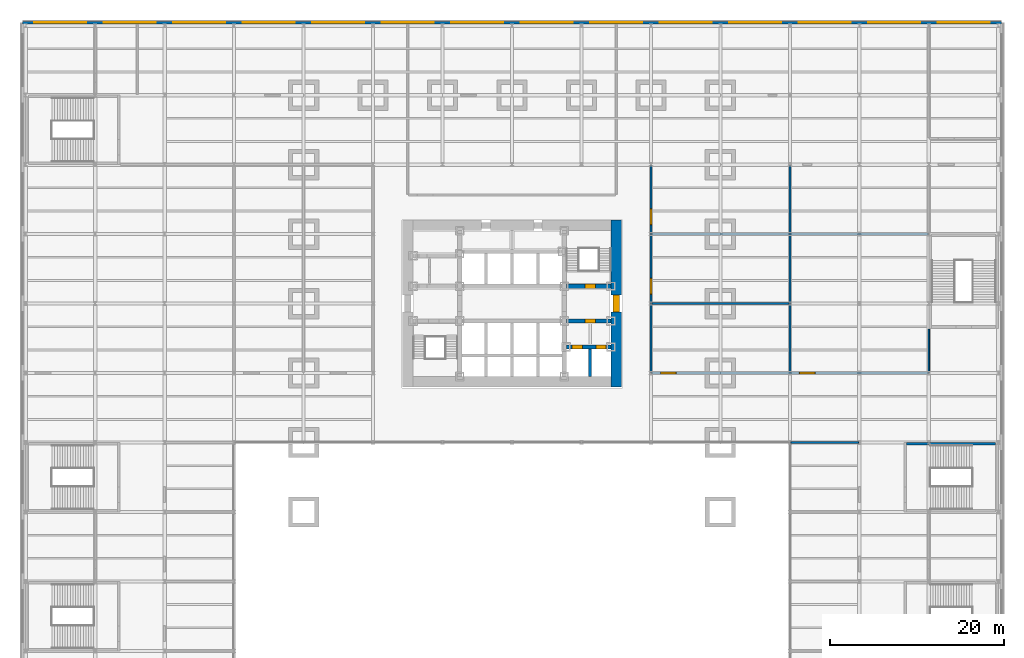
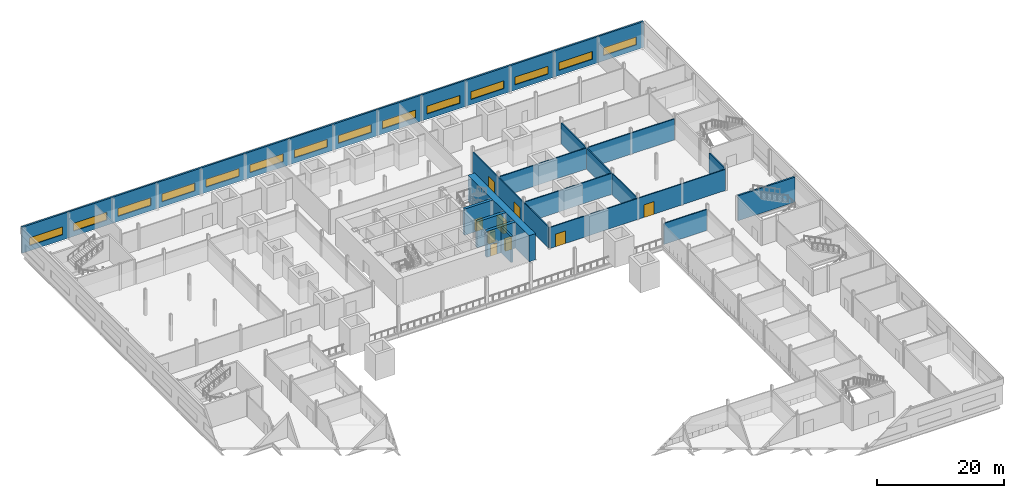
# One storey, part 15 of 22: 14 walls, 14 windows, 9 doors, 23 openings.
"""IFC4 building model written with IfcOpenShell, lengths in metres."""

from ifc_helpers import new_model, si_unit, direction, frame, frame_2d, origin, place, context, subcontext, project, spatial, rectangle, extrude, material, layer, layer_set, type_object, element, fill, save


model = new_model("IFC4")

# Units and contexts
model_context = context("Model", 3, precision=1e-05, world=origin(), true_north=direction((0.0, 1.0)))
body_context = subcontext(model_context, "Body", "Model", "MODEL_VIEW")
ifc_project = project(units=[si_unit("LENGTHUNIT", "METRE"), si_unit("AREAUNIT", "SQUARE_METRE"), si_unit("VOLUMEUNIT", "CUBIC_METRE"), si_unit("PLANEANGLEUNIT", "RADIAN"), si_unit("MASSUNIT", "GRAM", prefix="KILO")], contexts=[model_context])

# Site, building, storey
site_placement = place(None, origin())
site = spatial("IfcSite", under=ifc_project, at=site_placement, CompositionType="ELEMENT")
building_placement = place(site_placement, origin())
building = spatial("IfcBuilding", under=site, at=building_placement, Name="Daluyong Arena Tower", CompositionType="ELEMENT")
storey_placement = place(building_placement, frame((0.0, 0.0, 9.89990234375)))
storey = spatial("IfcBuildingStorey", under=building, at=storey_placement, Name="L02", CompositionType="ELEMENT", Elevation=9.89990234375)

# Wall, openings, doors
ifc_material_1 = material(Name="Concrete fc' 45 MPa", Category="concrete")
ifc_layer_1 = layer(ifc_material_1, 0.5)
ifc_layer_set_1 = layer_set([ifc_layer_1], Name="Concrete fc' 45 MPa")
wall_type_1 = type_object("IfcWallType", Name="Core inner wall 500", PredefinedType="SHEAR", material=ifc_layer_set_1)
wall_1_placement = place(storey_placement, frame((62.25, 75.0, 0.0), z_axis=(0.0, 0.0, 1.0), x_axis=(1.0, 0.0, 0.0)))
wall_1 = element("IfcWall", 1, at=wall_1_placement, inside=storey, type_object=wall_type_1, Name="core inner wall at L02", PredefinedType="SHEAR", context=body_context, shape_type="SweptSolid", body=[
    extrude(rectangle(XDim=5.14990234375, YDim=0.5, at=frame_2d((2.574951171875, 0.0))), origin(), (0.0, 0.0, 1.0), 5.0),
])
opening_1_placement = place(wall_1_placement, frame((0.64990234375, 0.0, 0.0)))
opening_1 = element("IfcOpeningElement", 2, at=opening_1_placement, cuts=wall_1, Name="Opening 02013", PredefinedType="OPENING", context=body_context, shape_type="SweptSolid", body=[
    extrude(rectangle(XDim=1.199951171875, YDim=2.199951171875, at=frame_2d((0.60009765625, 1.10009765625))), frame((0.0, 0.260009765625, 0.0), z_axis=(0.0, -1.0, 0.0), x_axis=(1.0, 0.0, 0.0)), (0.0, 0.0, 1.0), 0.52001953125),
])
opening_2_placement = place(wall_1_placement, frame((3.39990234375, 0.0, 0.0)))
opening_2 = element("IfcOpeningElement", 3, at=opening_2_placement, cuts=wall_1, Name="Opening 02014", PredefinedType="OPENING", context=body_context, shape_type="SweptSolid", body=[
    extrude(rectangle(XDim=1.199951171875, YDim=2.199951171875, at=frame_2d((0.60009765625, 1.10009765625))), frame((0.0, 0.260009765625, 0.0), z_axis=(0.0, -1.0, 0.0), x_axis=(1.0, 0.0, 0.0)), (0.0, 0.0, 1.0), 0.52001953125),
])
ifc_material_2 = material(Name="Steel door, fire rated", Category="steel")
door_type_1 = type_object("IfcDoorType", Name="Firefighting lift landing door 1200", OperationType="SLIDING_TO_LEFT", PredefinedType="DOOR", material=ifc_material_2)
door_1_placement = place(opening_1_placement, origin())
door_1 = element("IfcDoor", 4, at=door_1_placement, inside=storey, type_object=door_type_1, Name="firefighting lift landing door F1 02013", OperationType="SLIDING_TO_LEFT", OverallHeight=2.199951171875, OverallWidth=1.199951171875, PredefinedType="DOOR", context=body_context, shape_type="SweptSolid", body=[
    extrude(rectangle(XDim=1.199951171875, YDim=2.199951171875, at=frame_2d((0.60009765625, 1.10009765625))), frame((0.0, 0.249755859375, 0.0), z_axis=(0.0, -1.0, 0.0), x_axis=(1.0, 0.0, 0.0)), (0.0, 0.0, 1.0), 0.49951171875),
])
fill(opening_1, door_1)
door_2_placement = place(opening_2_placement, origin())
door_2 = element("IfcDoor", 5, at=door_2_placement, inside=storey, type_object=door_type_1, Name="firefighting lift landing door F2 02014", OperationType="SLIDING_TO_LEFT", OverallHeight=2.199951171875, OverallWidth=1.199951171875, PredefinedType="DOOR", context=body_context, shape_type="SweptSolid", body=[
    extrude(rectangle(XDim=1.199951171875, YDim=2.199951171875, at=frame_2d((0.60009765625, 1.10009765625))), frame((0.0, 0.249755859375, 0.0), z_axis=(0.0, -1.0, 0.0), x_axis=(1.0, 0.0, 0.0)), (0.0, 0.0, 1.0), 0.49951171875),
])
fill(opening_2, door_2)

# Wall, opening, door
wall_2_placement = place(storey_placement, frame((62.25, 78.0, 0.0), z_axis=(0.0, 0.0, 1.0), x_axis=(1.0, 0.0, 0.0)))
wall_2 = element("IfcWall", 6, at=wall_2_placement, inside=storey, type_object=wall_type_1, Name="core inner wall at L02", PredefinedType="SHEAR", context=body_context, shape_type="SweptSolid", body=[
    extrude(rectangle(XDim=5.14990234375, YDim=0.5, at=frame_2d((2.574951171875, 0.0))), origin(), (0.0, 0.0, 1.0), 5.0),
])
opening_3_placement = place(wall_2_placement, frame((2.14990234375, 0.0, 0.0)))
opening_3 = element("IfcOpeningElement", 7, at=opening_3_placement, cuts=wall_2, Name="Opening 02012", PredefinedType="OPENING", context=body_context, shape_type="SweptSolid", body=[
    extrude(rectangle(XDim=1.199951171875, YDim=2.10009765625, at=frame_2d((0.60009765625, 1.050048828125))), frame((0.0, 0.260009765625, 0.0), z_axis=(0.0, -1.0, 0.0), x_axis=(1.0, 0.0, 0.0)), (0.0, 0.0, 1.0), 0.52001953125),
])
ifc_material_3 = material(Name="Steel door, fire rated", Category="steel")
door_type_2 = type_object("IfcDoorType", Name="Firefighting lobby door 1200", OperationType="SINGLE_SWING_RIGHT", PredefinedType="DOOR", material=ifc_material_3)
door_3_placement = place(opening_3_placement, origin())
door_3 = element("IfcDoor", 8, at=door_3_placement, inside=storey, type_object=door_type_2, Name="firefighting lobby door 02012", OperationType="SINGLE_SWING_RIGHT", OverallHeight=2.10009765625, OverallWidth=1.199951171875, PredefinedType="DOOR", context=body_context, shape_type="SweptSolid", body=[
    extrude(rectangle(XDim=1.199951171875, YDim=2.10009765625, at=frame_2d((0.60009765625, 1.050048828125))), frame((0.0, 0.249755859375, 0.0), z_axis=(0.0, -1.0, 0.0), x_axis=(1.0, 0.0, 0.0)), (0.0, 0.0, 1.0), 0.49951171875),
])
fill(opening_3, door_3)

wall_3_placement = place(storey_placement, frame((62.25, 82.0, 0.0), z_axis=(0.0, 0.0, 1.0), x_axis=(1.0, 0.0, 0.0)))
wall_3 = element("IfcWall", 9, at=wall_3_placement, inside=storey, type_object=wall_type_1, Name="core inner wall at L02", PredefinedType="SHEAR", context=body_context, shape_type="SweptSolid", body=[
    extrude(rectangle(XDim=5.14990234375, YDim=0.5, at=frame_2d((2.574951171875, 0.0))), origin(), (0.0, 0.0, 1.0), 5.0),
])
opening_4_placement = place(wall_3_placement, frame((2.14990234375, 0.0, 0.0)))
opening_4 = element("IfcOpeningElement", 10, at=opening_4_placement, cuts=wall_3, Name="Opening 02007", PredefinedType="OPENING", context=body_context, shape_type="SweptSolid", body=[
    extrude(rectangle(XDim=1.199951171875, YDim=2.10009765625, at=frame_2d((0.60009765625, 1.050048828125))), frame((0.0, 0.260009765625, 0.0), z_axis=(0.0, -1.0, 0.0), x_axis=(1.0, 0.0, 0.0)), (0.0, 0.0, 1.0), 0.52001953125),
])
ifc_material_4 = material(Name="Steel door, fire rated", Category="steel")
door_type_3 = type_object("IfcDoorType", Name="Stair door 1200", OperationType="SINGLE_SWING_LEFT", PredefinedType="DOOR", material=ifc_material_4)
door_4_placement = place(opening_4_placement, origin())
door_4 = element("IfcDoor", 11, at=door_4_placement, inside=storey, type_object=door_type_3, Name="stair B door 02007", OperationType="SINGLE_SWING_LEFT", OverallHeight=2.10009765625, OverallWidth=1.199951171875, PredefinedType="DOOR", context=body_context, shape_type="SweptSolid", body=[
    extrude(rectangle(XDim=1.199951171875, YDim=2.10009765625, at=frame_2d((0.60009765625, 1.050048828125))), frame((0.0, 0.249755859375, 0.0), z_axis=(0.0, -1.0, 0.0), x_axis=(1.0, 0.0, 0.0)), (0.0, 0.0, 1.0), 0.49951171875),
])
fill(opening_4, door_4)

ifc_material_5 = material(Name="Concrete fc' 60 MPa", Category="concrete")
ifc_layer_2 = layer(ifc_material_5, 1.199951171875)
ifc_layer_set_2 = layer_set([ifc_layer_2], Name="Concrete fc' 60 MPa")
wall_type_2 = type_object("IfcWallType", Name="Core wall 1200", PredefinedType="SHEAR", material=ifc_layer_set_2)
wall_4_placement = place(storey_placement, frame((68.0, 70.39990234375, 0.0), z_axis=(0.0, 0.0, 1.0), x_axis=(0.0, 1.0, 0.0)))
wall_4 = element("IfcWall", 12, at=wall_4_placement, inside=storey, type_object=wall_type_2, Name="core wall at L02", PredefinedType="SHEAR", context=body_context, shape_type="SweptSolid", body=[
    extrude(rectangle(XDim=19.2001953125, YDim=1.199951171875, at=frame_2d((9.60009765625, 0.0))), origin(), (0.0, 0.0, 1.0), 5.0),
])
opening_5_placement = place(wall_4_placement, frame((8.60009765625, 0.0, 0.0)))
opening_5 = element("IfcOpeningElement", 13, at=opening_5_placement, cuts=wall_4, Name="Opening 02009", PredefinedType="OPENING", context=body_context, shape_type="SweptSolid", body=[
    extrude(rectangle(XDim=2.0, YDim=2.39990234375, at=frame_2d((1.0, 1.199951171875))), frame((0.0, 0.60986328125, 0.0), z_axis=(0.0, -1.0, 0.0), x_axis=(1.0, 0.0, 0.0)), (0.0, 0.0, 1.0), 1.219970703125),
])
ifc_material_6 = material(Name="Steel door, fire rated", Category="steel")
door_type_4 = type_object("IfcDoorType", Name="Core lobby double door 2000", OperationType="DOUBLE_DOOR_SINGLE_SWING", PredefinedType="DOOR", material=ifc_material_6)
door_5_placement = place(opening_5_placement, origin())
door_5 = element("IfcDoor", 14, at=door_5_placement, inside=storey, type_object=door_type_4, Name="core lobby door east 02009", OperationType="DOUBLE_DOOR_SINGLE_SWING", OverallHeight=2.39990234375, OverallWidth=2.0, PredefinedType="DOOR", context=body_context, shape_type="SweptSolid", body=[
    extrude(rectangle(XDim=2.0, YDim=2.39990234375, at=frame_2d((1.0, 1.199951171875))), frame((0.0, 0.35009765625, 0.0), z_axis=(0.0, -1.0, 0.0), x_axis=(1.0, 0.0, 0.0)), (0.0, 0.0, 1.0), 0.699951171875),
])
fill(opening_5, door_5)

# Walls
ifc_material_7 = material(Name="Concrete fc' 45 MPa", Category="concrete")
ifc_layer_3 = layer(ifc_material_7, 0.35009765625)
ifc_layer_set_3 = layer_set([ifc_layer_3], Name="Concrete fc' 45 MPa")
wall_type_3 = type_object("IfcWallType", Name="Lift shaft wall 350", PredefinedType="SHEAR", material=ifc_layer_set_3)
wall_5_placement = place(storey_placement, frame((65.0, 71.60009765625, 0.0), z_axis=(0.0, 0.0, 1.0), x_axis=(0.0, 1.0, 0.0)))
element("IfcWall", 15, at=wall_5_placement, inside=storey, type_object=wall_type_3, Name="lift shaft wall at L02", PredefinedType="SHEAR", context=body_context, shape_type="SweptSolid", body=[
    extrude(rectangle(XDim=3.14990234375, YDim=0.35009765625, at=frame_2d((1.574951171875, 0.0))), origin(), (0.0, 0.0, 1.0), 5.0),
])
ifc_material_8 = material(Name="Concrete block partition", Category="concrete")
ifc_layer_4 = layer(ifc_material_8, 0.199951171875)
ifc_layer_set_4 = layer_set([ifc_layer_4], Name="Concrete block partition")
wall_type_4 = type_object("IfcWallType", Name="Partition 200", PredefinedType="PARTITIONING", material=ifc_layer_set_4)
wall_6_placement = place(storey_placement, frame((88.10009765625, 64.0, 0.0), z_axis=(0.0, 0.0, 1.0), x_axis=(1.0, 0.0, 0.0)))
element("IfcWall", 16, at=wall_6_placement, inside=storey, type_object=wall_type_4, Name="partition at L02", PredefinedType="PARTITIONING", context=body_context, shape_type="SweptSolid", body=[
    extrude(rectangle(XDim=7.7998046875, YDim=0.199951171875, at=frame_2d((3.89990234375, 0.0))), origin(), (0.0, 0.0, 1.0), 4.02783203125),
])

# Wall, openings, doors
wall_7_placement = place(storey_placement, frame((72.10009765625, 72.0, 0.0), z_axis=(0.0, 0.0, 1.0), x_axis=(1.0, 0.0, 0.0)))
wall_7 = element("IfcWall", 17, at=wall_7_placement, inside=storey, type_object=wall_type_4, Name="partition at L02", PredefinedType="PARTITIONING", context=body_context, shape_type="SweptSolid", body=[
    extrude(rectangle(XDim=31.7998046875, YDim=0.199951171875, at=frame_2d((15.89990234375, 0.0))), origin(), (0.0, 0.0, 1.0), 4.02783203125),
])
opening_6_placement = place(wall_7_placement, frame((1.0, 0.0, 0.0)))
opening_6 = element("IfcOpeningElement", 18, at=opening_6_placement, cuts=wall_7, Name="Opening 02056", PredefinedType="OPENING", context=body_context, shape_type="SweptSolid", body=[
    extrude(rectangle(XDim=1.800048828125, YDim=2.39990234375, at=frame_2d((0.89990234375, 1.199951171875))), frame((0.0, 0.10986328125, 0.0), z_axis=(0.0, -1.0, 0.0), x_axis=(1.0, 0.0, 0.0)), (0.0, 0.0, 1.0), 0.219970703125),
])
opening_7_placement = place(wall_7_placement, frame((17.0, 0.0, 0.0)))
opening_7 = element("IfcOpeningElement", 19, at=opening_7_placement, cuts=wall_7, Name="Opening 02058", PredefinedType="OPENING", context=body_context, shape_type="SweptSolid", body=[
    extrude(rectangle(XDim=1.800048828125, YDim=2.39990234375, at=frame_2d((0.89990234375, 1.199951171875))), frame((0.0, 0.10986328125, 0.0), z_axis=(0.0, -1.0, 0.0), x_axis=(1.0, 0.0, 0.0)), (0.0, 0.0, 1.0), 0.219970703125),
])
ifc_material_9 = material(Name="Timber door", Category="wood")
door_type_5 = type_object("IfcDoorType", Name="Assembly double door 1800", OperationType="DOUBLE_DOOR_DOUBLE_SWING", PredefinedType="DOOR", material=ifc_material_9)
door_6_placement = place(opening_6_placement, origin())
door_6 = element("IfcDoor", 20, at=door_6_placement, inside=storey, type_object=door_type_5, Name="corporate suite door 02056", OperationType="DOUBLE_DOOR_DOUBLE_SWING", OverallHeight=2.39990234375, OverallWidth=1.800048828125, PredefinedType="DOOR", context=body_context, shape_type="SweptSolid", body=[
    extrude(rectangle(XDim=1.800048828125, YDim=2.39990234375, at=frame_2d((0.89990234375, 1.199951171875))), frame((0.0, 0.099609375, 0.0), z_axis=(0.0, -1.0, 0.0), x_axis=(1.0, 0.0, 0.0)), (0.0, 0.0, 1.0), 0.199462890625),
])
fill(opening_6, door_6)
door_7_placement = place(opening_7_placement, origin())
door_7 = element("IfcDoor", 21, at=door_7_placement, inside=storey, type_object=door_type_5, Name="club restaurant door 02058", OperationType="DOUBLE_DOOR_DOUBLE_SWING", OverallHeight=2.39990234375, OverallWidth=1.800048828125, PredefinedType="DOOR", context=body_context, shape_type="SweptSolid", body=[
    extrude(rectangle(XDim=1.800048828125, YDim=2.39990234375, at=frame_2d((0.89990234375, 1.199951171875))), frame((0.0, 0.099609375, 0.0), z_axis=(0.0, -1.0, 0.0), x_axis=(1.0, 0.0, 0.0)), (0.0, 0.0, 1.0), 0.199462890625),
])
fill(opening_7, door_7)

# Walls
wall_8_placement = place(storey_placement, frame((72.10009765625, 80.0, 0.0), z_axis=(0.0, 0.0, 1.0), x_axis=(1.0, 0.0, 0.0)))
element("IfcWall", 22, at=wall_8_placement, inside=storey, type_object=wall_type_4, Name="partition at L02", PredefinedType="PARTITIONING", context=body_context, shape_type="SweptSolid", body=[
    extrude(rectangle(XDim=15.7998046875, YDim=0.199951171875, at=frame_2d((7.89990234375, 0.0))), origin(), (0.0, 0.0, 1.0), 4.02783203125),
])
wall_9_placement = place(storey_placement, frame((72.10009765625, 88.0, 0.0), z_axis=(0.0, 0.0, 1.0), x_axis=(1.0, 0.0, 0.0)))
element("IfcWall", 23, at=wall_9_placement, inside=storey, type_object=wall_type_4, Name="partition at L02", PredefinedType="PARTITIONING", context=body_context, shape_type="SweptSolid", body=[
    extrude(rectangle(XDim=31.7998046875, YDim=0.199951171875, at=frame_2d((15.89990234375, 0.0))), origin(), (0.0, 0.0, 1.0), 4.02783203125),
])

# Wall, openings, doors
wall_10_placement = place(storey_placement, frame((72.0, 72.10009765625, 0.0), z_axis=(0.0, 0.0, 1.0), x_axis=(0.0, 1.0, 0.0)))
wall_10 = element("IfcWall", 24, at=wall_10_placement, inside=storey, type_object=wall_type_4, Name="partition at L02", PredefinedType="PARTITIONING", context=body_context, shape_type="SweptSolid", body=[
    extrude(rectangle(XDim=23.7998046875, YDim=0.199951171875, at=frame_2d((11.89990234375, 0.0))), origin(), (0.0, 0.0, 1.0), 4.02783203125),
])
opening_8_placement = place(wall_10_placement, frame((9.0, 0.0, 0.0)))
opening_8 = element("IfcOpeningElement", 25, at=opening_8_placement, cuts=wall_10, Name="Opening 02057", PredefinedType="OPENING", context=body_context, shape_type="SweptSolid", body=[
    extrude(rectangle(XDim=1.800048828125, YDim=2.39990234375, at=frame_2d((0.89990234375, 1.199951171875))), frame((0.0, 0.10986328125, 0.0), z_axis=(0.0, -1.0, 0.0), x_axis=(1.0, 0.0, 0.0)), (0.0, 0.0, 1.0), 0.219970703125),
])
opening_9_placement = place(wall_10_placement, frame((17.0, 0.0, 0.0)))
opening_9 = element("IfcOpeningElement", 26, at=opening_9_placement, cuts=wall_10, Name="Opening 02059", PredefinedType="OPENING", context=body_context, shape_type="SweptSolid", body=[
    extrude(rectangle(XDim=1.800048828125, YDim=2.39990234375, at=frame_2d((0.89990234375, 1.199951171875))), frame((0.0, 0.10986328125, 0.0), z_axis=(0.0, -1.0, 0.0), x_axis=(1.0, 0.0, 0.0)), (0.0, 0.0, 1.0), 0.219970703125),
])
door_8_placement = place(opening_8_placement, origin())
door_8 = element("IfcDoor", 27, at=door_8_placement, inside=storey, type_object=door_type_5, Name="corporate suite door 02057", OperationType="DOUBLE_DOOR_DOUBLE_SWING", OverallHeight=2.39990234375, OverallWidth=1.800048828125, PredefinedType="DOOR", context=body_context, shape_type="SweptSolid", body=[
    extrude(rectangle(XDim=1.800048828125, YDim=2.39990234375, at=frame_2d((0.89990234375, 1.199951171875))), frame((0.0, 0.099609375, 0.0), z_axis=(0.0, -1.0, 0.0), x_axis=(1.0, 0.0, 0.0)), (0.0, 0.0, 1.0), 0.199462890625),
])
fill(opening_8, door_8)
door_9_placement = place(opening_9_placement, origin())
door_9 = element("IfcDoor", 28, at=door_9_placement, inside=storey, type_object=door_type_5, Name="club bar door 02059", OperationType="DOUBLE_DOOR_DOUBLE_SWING", OverallHeight=2.39990234375, OverallWidth=1.800048828125, PredefinedType="DOOR", context=body_context, shape_type="SweptSolid", body=[
    extrude(rectangle(XDim=1.800048828125, YDim=2.39990234375, at=frame_2d((0.89990234375, 1.199951171875))), frame((0.0, 0.099609375, 0.0), z_axis=(0.0, -1.0, 0.0), x_axis=(1.0, 0.0, 0.0)), (0.0, 0.0, 1.0), 0.199462890625),
])
fill(opening_9, door_9)

# Walls
wall_11_placement = place(storey_placement, frame((88.0, 72.10009765625, 0.0), z_axis=(0.0, 0.0, 1.0), x_axis=(0.0, 1.0, 0.0)))
element("IfcWall", 29, at=wall_11_placement, inside=storey, type_object=wall_type_4, Name="partition at L02", PredefinedType="PARTITIONING", context=body_context, shape_type="SweptSolid", body=[
    extrude(rectangle(XDim=23.7998046875, YDim=0.199951171875, at=frame_2d((11.89990234375, 0.0))), origin(), (0.0, 0.0, 1.0), 4.02783203125),
])
wall_12_placement = place(storey_placement, frame((104.0, 72.10009765625, 0.0), z_axis=(0.0, 0.0, 1.0), x_axis=(0.0, 1.0, 0.0)))
element("IfcWall", 30, at=wall_12_placement, inside=storey, type_object=wall_type_4, Name="partition at L02", PredefinedType="PARTITIONING", context=body_context, shape_type="SweptSolid", body=[
    extrude(rectangle(XDim=4.949951171875, YDim=0.199951171875, at=frame_2d((2.47509765625, 0.0))), origin(), (0.0, 0.0, 1.0), 4.02783203125),
])

# Wall, openings, windows
ifc_material_10 = material(Name="Precast concrete fc' 45 MPa", Category="concrete")
ifc_layer_5 = layer(ifc_material_10, 0.300048828125)
ifc_layer_set_5 = layer_set([ifc_layer_5], Name="Precast concrete fc' 45 MPa")
wall_type_5 = type_object("IfcWallType", Name="Podium precast band wall 300", PredefinedType="SOLIDWALL", material=ifc_layer_set_5)
wall_13_placement = place(storey_placement, frame((112.35009765625, 112.35009765625, 0.0), z_axis=(0.0, 0.0, 1.0), x_axis=(-1.0, 0.0, 0.0)))
wall_13 = element("IfcWall", 31, at=wall_13_placement, inside=storey, type_object=wall_type_5, Name="podium wall N L02", PredefinedType="SOLIDWALL", context=body_context, shape_type="SweptSolid", body=[
    extrude(rectangle(XDim=112.7001953125, YDim=0.300048828125, at=frame_2d((56.35009765625, 0.0))), origin(), (0.0, 0.0, 1.0), 5.0),
])
opening_10_placement = place(wall_13_placement, frame((1.35009765625, 0.0, 1.0)))
opening_10 = element("IfcOpeningElement", 32, at=opening_10_placement, cuts=wall_13, Name="Opening W1", PredefinedType="OPENING", context=body_context, shape_type="SweptSolid", body=[
    extrude(rectangle(XDim=6.0, YDim=1.5, at=frame_2d((3.0, 0.75))), frame((0.0, 0.159912109375, 0.0), z_axis=(0.0, -1.0, 0.0), x_axis=(1.0, 0.0, 0.0)), (0.0, 0.0, 1.0), 0.320068359375),
])
opening_11_placement = place(wall_13_placement, frame((9.35009765625, 0.0, 1.0)))
opening_11 = element("IfcOpeningElement", 33, at=opening_11_placement, cuts=wall_13, Name="Opening W1", PredefinedType="OPENING", context=body_context, shape_type="SweptSolid", body=[
    extrude(rectangle(XDim=6.0, YDim=1.5, at=frame_2d((3.0, 0.75))), frame((0.0, 0.159912109375, 0.0), z_axis=(0.0, -1.0, 0.0), x_axis=(1.0, 0.0, 0.0)), (0.0, 0.0, 1.0), 0.320068359375),
])
opening_12_placement = place(wall_13_placement, frame((17.35009765625, 0.0, 1.0)))
opening_12 = element("IfcOpeningElement", 34, at=opening_12_placement, cuts=wall_13, Name="Opening W1", PredefinedType="OPENING", context=body_context, shape_type="SweptSolid", body=[
    extrude(rectangle(XDim=6.0, YDim=1.5, at=frame_2d((3.0, 0.75))), frame((0.0, 0.159912109375, 0.0), z_axis=(0.0, -1.0, 0.0), x_axis=(1.0, 0.0, 0.0)), (0.0, 0.0, 1.0), 0.320068359375),
])
opening_13_placement = place(wall_13_placement, frame((25.35009765625, 0.0, 1.0)))
opening_13 = element("IfcOpeningElement", 35, at=opening_13_placement, cuts=wall_13, Name="Opening W1", PredefinedType="OPENING", context=body_context, shape_type="SweptSolid", body=[
    extrude(rectangle(XDim=6.0, YDim=1.5, at=frame_2d((3.0, 0.75))), frame((0.0, 0.159912109375, 0.0), z_axis=(0.0, -1.0, 0.0), x_axis=(1.0, 0.0, 0.0)), (0.0, 0.0, 1.0), 0.320068359375),
])
opening_14_placement = place(wall_13_placement, frame((33.35009765625, 0.0, 1.0)))
opening_14 = element("IfcOpeningElement", 36, at=opening_14_placement, cuts=wall_13, Name="Opening W1", PredefinedType="OPENING", context=body_context, shape_type="SweptSolid", body=[
    extrude(rectangle(XDim=6.0, YDim=1.5, at=frame_2d((3.0, 0.75))), frame((0.0, 0.159912109375, 0.0), z_axis=(0.0, -1.0, 0.0), x_axis=(1.0, 0.0, 0.0)), (0.0, 0.0, 1.0), 0.320068359375),
])
opening_15_placement = place(wall_13_placement, frame((41.35009765625, 0.0, 1.0)))
opening_15 = element("IfcOpeningElement", 37, at=opening_15_placement, cuts=wall_13, Name="Opening W1", PredefinedType="OPENING", context=body_context, shape_type="SweptSolid", body=[
    extrude(rectangle(XDim=6.0, YDim=1.5, at=frame_2d((3.0, 0.75))), frame((0.0, 0.159912109375, 0.0), z_axis=(0.0, -1.0, 0.0), x_axis=(1.0, 0.0, 0.0)), (0.0, 0.0, 1.0), 0.320068359375),
])
opening_16_placement = place(wall_13_placement, frame((49.35009765625, 0.0, 1.0)))
opening_16 = element("IfcOpeningElement", 38, at=opening_16_placement, cuts=wall_13, Name="Opening W1", PredefinedType="OPENING", context=body_context, shape_type="SweptSolid", body=[
    extrude(rectangle(XDim=6.0, YDim=1.5, at=frame_2d((3.0, 0.75))), frame((0.0, 0.159912109375, 0.0), z_axis=(0.0, -1.0, 0.0), x_axis=(1.0, 0.0, 0.0)), (0.0, 0.0, 1.0), 0.320068359375),
])
opening_17_placement = place(wall_13_placement, frame((57.35009765625, 0.0, 1.0)))
opening_17 = element("IfcOpeningElement", 39, at=opening_17_placement, cuts=wall_13, Name="Opening W1", PredefinedType="OPENING", context=body_context, shape_type="SweptSolid", body=[
    extrude(rectangle(XDim=6.0, YDim=1.5, at=frame_2d((3.0, 0.75))), frame((0.0, 0.159912109375, 0.0), z_axis=(0.0, -1.0, 0.0), x_axis=(1.0, 0.0, 0.0)), (0.0, 0.0, 1.0), 0.320068359375),
])
opening_18_placement = place(wall_13_placement, frame((65.35009765625, 0.0, 1.0)))
opening_18 = element("IfcOpeningElement", 40, at=opening_18_placement, cuts=wall_13, Name="Opening W1", PredefinedType="OPENING", context=body_context, shape_type="SweptSolid", body=[
    extrude(rectangle(XDim=6.0, YDim=1.5, at=frame_2d((3.0, 0.75))), frame((0.0, 0.159912109375, 0.0), z_axis=(0.0, -1.0, 0.0), x_axis=(1.0, 0.0, 0.0)), (0.0, 0.0, 1.0), 0.320068359375),
])
opening_19_placement = place(wall_13_placement, frame((73.35009765625, 0.0, 1.0)))
opening_19 = element("IfcOpeningElement", 41, at=opening_19_placement, cuts=wall_13, Name="Opening W1", PredefinedType="OPENING", context=body_context, shape_type="SweptSolid", body=[
    extrude(rectangle(XDim=6.0, YDim=1.5, at=frame_2d((3.0, 0.75))), frame((0.0, 0.159912109375, 0.0), z_axis=(0.0, -1.0, 0.0), x_axis=(1.0, 0.0, 0.0)), (0.0, 0.0, 1.0), 0.320068359375),
])
opening_20_placement = place(wall_13_placement, frame((81.35009765625, 0.0, 1.0)))
opening_20 = element("IfcOpeningElement", 42, at=opening_20_placement, cuts=wall_13, Name="Opening W1", PredefinedType="OPENING", context=body_context, shape_type="SweptSolid", body=[
    extrude(rectangle(XDim=6.0, YDim=1.5, at=frame_2d((3.0, 0.75))), frame((0.0, 0.159912109375, 0.0), z_axis=(0.0, -1.0, 0.0), x_axis=(1.0, 0.0, 0.0)), (0.0, 0.0, 1.0), 0.320068359375),
])
opening_21_placement = place(wall_13_placement, frame((89.35009765625, 0.0, 1.0)))
opening_21 = element("IfcOpeningElement", 43, at=opening_21_placement, cuts=wall_13, Name="Opening W1", PredefinedType="OPENING", context=body_context, shape_type="SweptSolid", body=[
    extrude(rectangle(XDim=6.0, YDim=1.5, at=frame_2d((3.0, 0.75))), frame((0.0, 0.159912109375, 0.0), z_axis=(0.0, -1.0, 0.0), x_axis=(1.0, 0.0, 0.0)), (0.0, 0.0, 1.0), 0.320068359375),
])
opening_22_placement = place(wall_13_placement, frame((97.35009765625, 0.0, 1.0)))
opening_22 = element("IfcOpeningElement", 44, at=opening_22_placement, cuts=wall_13, Name="Opening W1", PredefinedType="OPENING", context=body_context, shape_type="SweptSolid", body=[
    extrude(rectangle(XDim=6.0, YDim=1.5, at=frame_2d((3.0, 0.75))), frame((0.0, 0.159912109375, 0.0), z_axis=(0.0, -1.0, 0.0), x_axis=(1.0, 0.0, 0.0)), (0.0, 0.0, 1.0), 0.320068359375),
])
opening_23_placement = place(wall_13_placement, frame((105.35009765625, 0.0, 1.0)))
opening_23 = element("IfcOpeningElement", 45, at=opening_23_placement, cuts=wall_13, Name="Opening W1", PredefinedType="OPENING", context=body_context, shape_type="SweptSolid", body=[
    extrude(rectangle(XDim=6.0, YDim=1.5, at=frame_2d((3.0, 0.75))), frame((0.0, 0.159912109375, 0.0), z_axis=(0.0, -1.0, 0.0), x_axis=(1.0, 0.0, 0.0)), (0.0, 0.0, 1.0), 0.320068359375),
])
ifc_material_11 = material(Name="Bronze aluminium window, tinted glass", Category="aluminium")
window_type = type_object("IfcWindowType", Name="Ribbon window 6000x1500", PartitioningType="TRIPLE_PANEL_HORIZONTAL", PredefinedType="WINDOW", material=ifc_material_11)
window_1_placement = place(opening_10_placement, origin())
window_1 = element("IfcWindow", 46, at=window_1_placement, inside=storey, type_object=window_type, Name="ribbon window N", OverallHeight=1.5, OverallWidth=6.0, PartitioningType="SINGLE_PANEL", PredefinedType="WINDOW", context=body_context, shape_type="SweptSolid", body=[
    extrude(rectangle(XDim=6.0, YDim=1.5, at=frame_2d((3.0, 0.75))), frame((0.0, 0.030029296875, 0.0), z_axis=(0.0, -1.0, 0.0), x_axis=(1.0, 0.0, 0.0)), (0.0, 0.0, 1.0), 0.06005859375),
])
fill(opening_10, window_1)
window_2_placement = place(opening_11_placement, origin())
window_2 = element("IfcWindow", 47, at=window_2_placement, inside=storey, type_object=window_type, Name="ribbon window N", OverallHeight=1.5, OverallWidth=6.0, PartitioningType="SINGLE_PANEL", PredefinedType="WINDOW", context=body_context, shape_type="SweptSolid", body=[
    extrude(rectangle(XDim=6.0, YDim=1.5, at=frame_2d((3.0, 0.75))), frame((0.0, 0.030029296875, 0.0), z_axis=(0.0, -1.0, 0.0), x_axis=(1.0, 0.0, 0.0)), (0.0, 0.0, 1.0), 0.06005859375),
])
fill(opening_11, window_2)
window_3_placement = place(opening_12_placement, origin())
window_3 = element("IfcWindow", 48, at=window_3_placement, inside=storey, type_object=window_type, Name="ribbon window N", OverallHeight=1.5, OverallWidth=6.0, PartitioningType="SINGLE_PANEL", PredefinedType="WINDOW", context=body_context, shape_type="SweptSolid", body=[
    extrude(rectangle(XDim=6.0, YDim=1.5, at=frame_2d((3.0, 0.75))), frame((0.0, 0.030029296875, 0.0), z_axis=(0.0, -1.0, 0.0), x_axis=(1.0, 0.0, 0.0)), (0.0, 0.0, 1.0), 0.06005859375),
])
fill(opening_12, window_3)
window_4_placement = place(opening_13_placement, origin())
window_4 = element("IfcWindow", 49, at=window_4_placement, inside=storey, type_object=window_type, Name="ribbon window N", OverallHeight=1.5, OverallWidth=6.0, PartitioningType="SINGLE_PANEL", PredefinedType="WINDOW", context=body_context, shape_type="SweptSolid", body=[
    extrude(rectangle(XDim=6.0, YDim=1.5, at=frame_2d((3.0, 0.75))), frame((0.0, 0.030029296875, 0.0), z_axis=(0.0, -1.0, 0.0), x_axis=(1.0, 0.0, 0.0)), (0.0, 0.0, 1.0), 0.06005859375),
])
fill(opening_13, window_4)
window_5_placement = place(opening_14_placement, origin())
window_5 = element("IfcWindow", 50, at=window_5_placement, inside=storey, type_object=window_type, Name="ribbon window N", OverallHeight=1.5, OverallWidth=6.0, PartitioningType="SINGLE_PANEL", PredefinedType="WINDOW", context=body_context, shape_type="SweptSolid", body=[
    extrude(rectangle(XDim=6.0, YDim=1.5, at=frame_2d((3.0, 0.75))), frame((0.0, 0.030029296875, 0.0), z_axis=(0.0, -1.0, 0.0), x_axis=(1.0, 0.0, 0.0)), (0.0, 0.0, 1.0), 0.06005859375),
])
fill(opening_14, window_5)
window_6_placement = place(opening_15_placement, origin())
window_6 = element("IfcWindow", 51, at=window_6_placement, inside=storey, type_object=window_type, Name="ribbon window N", OverallHeight=1.5, OverallWidth=6.0, PartitioningType="SINGLE_PANEL", PredefinedType="WINDOW", context=body_context, shape_type="SweptSolid", body=[
    extrude(rectangle(XDim=6.0, YDim=1.5, at=frame_2d((3.0, 0.75))), frame((0.0, 0.030029296875, 0.0), z_axis=(0.0, -1.0, 0.0), x_axis=(1.0, 0.0, 0.0)), (0.0, 0.0, 1.0), 0.06005859375),
])
fill(opening_15, window_6)
window_7_placement = place(opening_16_placement, origin())
window_7 = element("IfcWindow", 52, at=window_7_placement, inside=storey, type_object=window_type, Name="ribbon window N", OverallHeight=1.5, OverallWidth=6.0, PartitioningType="SINGLE_PANEL", PredefinedType="WINDOW", context=body_context, shape_type="SweptSolid", body=[
    extrude(rectangle(XDim=6.0, YDim=1.5, at=frame_2d((3.0, 0.75))), frame((0.0, 0.030029296875, 0.0), z_axis=(0.0, -1.0, 0.0), x_axis=(1.0, 0.0, 0.0)), (0.0, 0.0, 1.0), 0.06005859375),
])
fill(opening_16, window_7)
window_8_placement = place(opening_17_placement, origin())
window_8 = element("IfcWindow", 53, at=window_8_placement, inside=storey, type_object=window_type, Name="ribbon window N", OverallHeight=1.5, OverallWidth=6.0, PartitioningType="SINGLE_PANEL", PredefinedType="WINDOW", context=body_context, shape_type="SweptSolid", body=[
    extrude(rectangle(XDim=6.0, YDim=1.5, at=frame_2d((3.0, 0.75))), frame((0.0, 0.030029296875, 0.0), z_axis=(0.0, -1.0, 0.0), x_axis=(1.0, 0.0, 0.0)), (0.0, 0.0, 1.0), 0.06005859375),
])
fill(opening_17, window_8)
window_9_placement = place(opening_18_placement, origin())
window_9 = element("IfcWindow", 54, at=window_9_placement, inside=storey, type_object=window_type, Name="ribbon window N", OverallHeight=1.5, OverallWidth=6.0, PartitioningType="SINGLE_PANEL", PredefinedType="WINDOW", context=body_context, shape_type="SweptSolid", body=[
    extrude(rectangle(XDim=6.0, YDim=1.5, at=frame_2d((3.0, 0.75))), frame((0.0, 0.030029296875, 0.0), z_axis=(0.0, -1.0, 0.0), x_axis=(1.0, 0.0, 0.0)), (0.0, 0.0, 1.0), 0.06005859375),
])
fill(opening_18, window_9)
window_10_placement = place(opening_19_placement, origin())
window_10 = element("IfcWindow", 55, at=window_10_placement, inside=storey, type_object=window_type, Name="ribbon window N", OverallHeight=1.5, OverallWidth=6.0, PartitioningType="SINGLE_PANEL", PredefinedType="WINDOW", context=body_context, shape_type="SweptSolid", body=[
    extrude(rectangle(XDim=6.0, YDim=1.5, at=frame_2d((3.0, 0.75))), frame((0.0, 0.030029296875, 0.0), z_axis=(0.0, -1.0, 0.0), x_axis=(1.0, 0.0, 0.0)), (0.0, 0.0, 1.0), 0.06005859375),
])
fill(opening_19, window_10)
window_11_placement = place(opening_20_placement, origin())
window_11 = element("IfcWindow", 56, at=window_11_placement, inside=storey, type_object=window_type, Name="ribbon window N", OverallHeight=1.5, OverallWidth=6.0, PartitioningType="SINGLE_PANEL", PredefinedType="WINDOW", context=body_context, shape_type="SweptSolid", body=[
    extrude(rectangle(XDim=6.0, YDim=1.5, at=frame_2d((3.0, 0.75))), frame((0.0, 0.030029296875, 0.0), z_axis=(0.0, -1.0, 0.0), x_axis=(1.0, 0.0, 0.0)), (0.0, 0.0, 1.0), 0.06005859375),
])
fill(opening_20, window_11)
window_12_placement = place(opening_21_placement, origin())
window_12 = element("IfcWindow", 57, at=window_12_placement, inside=storey, type_object=window_type, Name="ribbon window N", OverallHeight=1.5, OverallWidth=6.0, PartitioningType="SINGLE_PANEL", PredefinedType="WINDOW", context=body_context, shape_type="SweptSolid", body=[
    extrude(rectangle(XDim=6.0, YDim=1.5, at=frame_2d((3.0, 0.75))), frame((0.0, 0.030029296875, 0.0), z_axis=(0.0, -1.0, 0.0), x_axis=(1.0, 0.0, 0.0)), (0.0, 0.0, 1.0), 0.06005859375),
])
fill(opening_21, window_12)
window_13_placement = place(opening_22_placement, origin())
window_13 = element("IfcWindow", 58, at=window_13_placement, inside=storey, type_object=window_type, Name="ribbon window N", OverallHeight=1.5, OverallWidth=6.0, PartitioningType="SINGLE_PANEL", PredefinedType="WINDOW", context=body_context, shape_type="SweptSolid", body=[
    extrude(rectangle(XDim=6.0, YDim=1.5, at=frame_2d((3.0, 0.75))), frame((0.0, 0.030029296875, 0.0), z_axis=(0.0, -1.0, 0.0), x_axis=(1.0, 0.0, 0.0)), (0.0, 0.0, 1.0), 0.06005859375),
])
fill(opening_22, window_13)
window_14_placement = place(opening_23_placement, origin())
window_14 = element("IfcWindow", 59, at=window_14_placement, inside=storey, type_object=window_type, Name="ribbon window N", OverallHeight=1.5, OverallWidth=6.0, PartitioningType="SINGLE_PANEL", PredefinedType="WINDOW", context=body_context, shape_type="SweptSolid", body=[
    extrude(rectangle(XDim=6.0, YDim=1.5, at=frame_2d((3.0, 0.75))), frame((0.0, 0.030029296875, 0.0), z_axis=(0.0, -1.0, 0.0), x_axis=(1.0, 0.0, 0.0)), (0.0, 0.0, 1.0), 0.06005859375),
])
fill(opening_23, window_14)

# Wall
ifc_material_12 = material(Name="Concrete fc' 35 MPa", Category="concrete")
ifc_layer_6 = layer(ifc_material_12, 0.300048828125)
ifc_layer_set_6 = layer_set([ifc_layer_6], Name="Concrete fc' 35 MPa")
wall_type_6 = type_object("IfcWallType", Name="Stair enclosure wall 300", PredefinedType="SOLIDWALL", material=ifc_layer_set_6)
wall_14_placement = place(storey_placement, frame((101.449951171875, 63.85009765625, 0.0), z_axis=(0.0, 0.0, 1.0), x_axis=(1.0, 0.0, 0.0)))
element("IfcWall", 60, at=wall_14_placement, inside=storey, type_object=wall_type_6, Name="exit stair PS8 enclosure", PredefinedType="SOLIDWALL", context=body_context, shape_type="SweptSolid", body=[
    extrude(rectangle(XDim=10.25, YDim=0.300048828125, at=frame_2d((5.125, 0.0))), origin(), (0.0, 0.0, 1.0), 4.800048828125),
])

save(model, "model.ifc")
